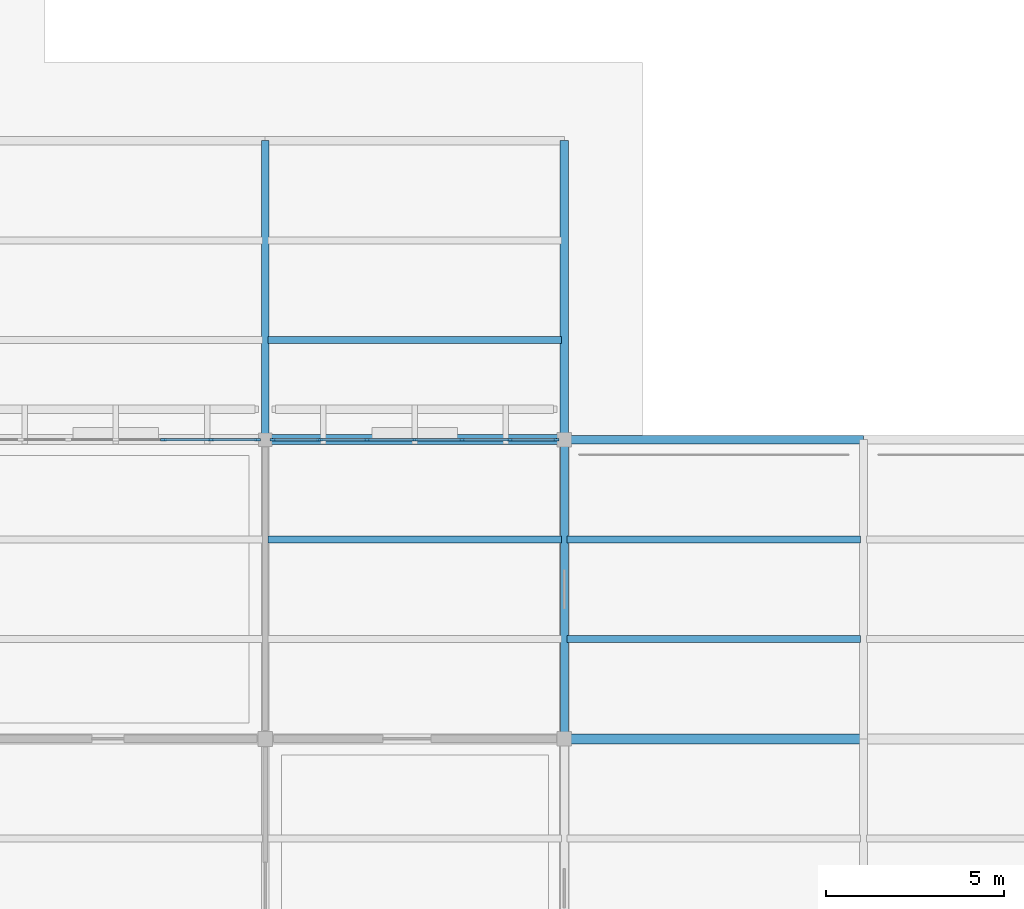
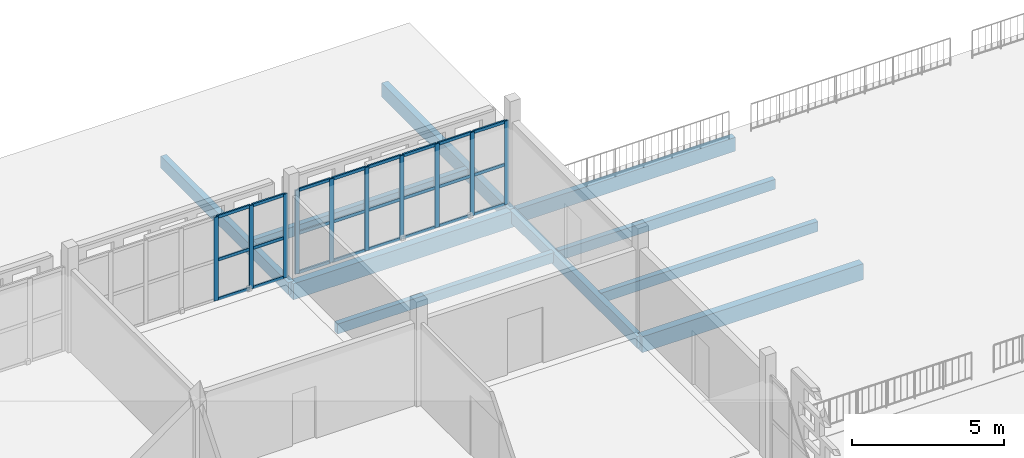
# One storey, part 28 of 166: 34 members, 10 beams, 2 elements without a shape of their own.
"""IFC4 building model written with IfcOpenShell, lengths in metres."""

from ifc_helpers import new_model, si_unit, direction, frame, origin, origin_2d, place, context, subcontext, project, spatial, rectangle, extrude, material, layer, layer_set, material_profile, profile_set, type_object, element, aggregate, save


model = new_model("IFC4")

# Units and contexts
model_context = context("Model", 3, precision=1e-05, world=origin(), true_north=direction((0.0, 1.0)))
body_context = subcontext(model_context, "Body", "Model", "MODEL_VIEW")
ifc_project = project(units=[si_unit("LENGTHUNIT", "METRE"), si_unit("AREAUNIT", "SQUARE_METRE"), si_unit("VOLUMEUNIT", "CUBIC_METRE"), si_unit("PLANEANGLEUNIT", "RADIAN"), si_unit("MASSUNIT", "GRAM", prefix="KILO")], contexts=[model_context])

# Site, building, storey
site_placement = place(None, origin())
site = spatial("IfcSite", under=ifc_project, at=site_placement, CompositionType="ELEMENT")
building_placement = place(site_placement, origin())
building = spatial("IfcBuilding", under=site, at=building_placement, Name="Varnapada Polytechnic", CompositionType="ELEMENT")
storey_placement = place(building_placement, frame((0.0, 0.0, 9.60009765625)))
storey = spatial("IfcBuildingStorey", under=building, at=storey_placement, Name="L02", CompositionType="ELEMENT", Elevation=9.60009765625)

# Beams
ifc_material_1 = material(Name="Glulam GL32h", Category="wood")
ifc_material_profile_1 = material_profile(ifc_material_1, rectangle(XDim=0.280029296875, YDim=0.639892578125, at=origin_2d()), Name="GL 280x640")
ifc_profile_set_1 = profile_set([ifc_material_profile_1], Name="Glulam GL32h")
beam_type_1 = type_object("IfcBeamType", Name="Laboratory primary glulam girder GG-02 (GL 280x640)", PredefinedType="BEAM", material=ifc_profile_set_1)
beam_1_placement = place(storey_placement, frame((50.39990234375, 42.0, -0.590087890625), z_axis=(1.0, 0.0, 0.0), x_axis=(0.0, 1.0, 0.0)))
element("IfcBeam", 1, at=beam_1_placement, inside=storey, type_object=beam_type_1, Name="L02 beam X 7-8 at Y6", PredefinedType="BEAM", context=body_context, shape_type="SweptSolid", body=[
    extrude(rectangle(XDim=0.280029296875, YDim=0.639892578125, at=origin_2d()), origin(), (0.0, 0.0, 1.0), 8.400146484375),
])
beam_2_placement = place(storey_placement, frame((58.800048828125, 33.60009765625, -0.56005859375), z_axis=(1.0, 0.0, 0.0), x_axis=(0.0, 1.0, 0.0)))
element("IfcBeam", 2, at=beam_2_placement, inside=storey, type_object=beam_type_1, Name="L02 beam X 8-9 at Y5", PredefinedType="BEAM", context=body_context, shape_type="SweptSolid", body=[
    extrude(rectangle(XDim=0.280029296875, YDim=0.639892578125, at=origin_2d()), origin(), (0.0, 0.0, 1.0), 8.39990234375),
])
ifc_material_profile_2 = material_profile(ifc_material_1, rectangle(XDim=0.199951171875, YDim=0.39990234375, at=origin_2d()), Name="GL 200x400")
ifc_profile_set_2 = profile_set([ifc_material_profile_2], Name="Glulam GL32h")
beam_type_2 = type_object("IfcBeamType", Name="Library/laboratory glulam floor joist GJ-01 (GL 200x400)", PredefinedType="JOIST", material=ifc_profile_set_2)
for number, where, z_axis, x_axis, name in (
    (3, (50.47998046875, 39.199951171875, -0.440185546875), (1.0, 0.0, 0.0), (0.0, 1.0, 0.0), "L02 floor joist 7/5.2"),
    (4, (50.47998046875, 44.800048828125, -0.47021484375), (1.0, 0.0, 0.0), (0.0, 1.0, 0.0), "L02 floor joist 7/6.1"),
):
    element("IfcBeam", number, at=place(storey_placement, frame(where, z_axis=z_axis, x_axis=x_axis)), inside=storey, type_object=beam_type_2, Name=name, PredefinedType="JOIST", context=body_context, shape_type="SweptSolid", body=[
        extrude(rectangle(XDim=0.199951171875, YDim=0.39990234375, at=origin_2d()), origin(), (0.0, 0.0, 1.0), 8.239990234375),
    ])
for number, where, z_axis, x_axis, name in (
    (5, (58.8798828125, 36.39990234375, -0.440185546875), (1.0, 0.0, 0.0), (0.0, 1.0, 0.0), "L02 floor joist 8/5.1"),
    (6, (58.8798828125, 39.199951171875, -0.440185546875), (1.0, 0.0, 0.0), (0.0, 1.0, 0.0), "L02 floor joist 8/5.2"),
):
    element("IfcBeam", number, at=place(storey_placement, frame(where, z_axis=z_axis, x_axis=x_axis)), inside=storey, type_object=beam_type_2, Name=name, PredefinedType="JOIST", context=body_context, shape_type="SweptSolid", body=[
        extrude(rectangle(XDim=0.199951171875, YDim=0.39990234375, at=origin_2d()), origin(), (0.0, 0.0, 1.0), 8.240234375),
    ])

# Curtain wall, members
ifc_material_2 = material(Name="Double low-E laminated glass", Category="glass")
ifc_layer = layer(ifc_material_2, 0.159912109375)
ifc_layer_set = layer_set([ifc_layer], Name="Double low-E laminated glass")
curtain_wall_type = type_object("IfcCurtainWallType", Name="Curtain Wall CW-01", PredefinedType="NOTDEFINED", material=ifc_layer_set)
curtain_wall_1_placement = place(storey_placement, origin())
curtain_wall_1 = element("IfcCurtainWall", 7, at=curtain_wall_1_placement, inside=storey, type_object=curtain_wall_type, Name="L02 unitised curtain wall CW-01 (154)", PredefinedType="NOTDEFINED")
ifc_material_3 = material(Name="Anodised aluminium", Category="aluminium")
ifc_material_profile_3 = material_profile(ifc_material_3, rectangle(XDim=0.06005859375, YDim=0.159912109375, at=origin_2d()), Name="ALU M60x160")
ifc_profile_set_3 = profile_set([ifc_material_profile_3], Name="Anodised aluminium")
member_type_1 = type_object("IfcMemberType", Name="Mullion M-01", PredefinedType="MULLION", material=ifc_profile_set_3)
member_1_placement = place(storey_placement, frame((47.5400390625, 42.0, 0.0), z_axis=(0.0, 0.0, 1.0), x_axis=(0.0, 1.0, 0.0)))
member_1 = element("IfcMember", 8, at=member_1_placement, type_object=member_type_1, Name="CW-01 mullion 5", PredefinedType="MULLION", context=body_context, shape_type="SweptSolid", body=[
    extrude(rectangle(XDim=0.06005859375, YDim=0.159912109375, at=origin_2d()), origin(), (0.0, 0.0, 1.0), 3.35986328125),
])
member_2_placement = place(storey_placement, frame((48.875, 42.0, 0.0), z_axis=(0.0, 0.0, 1.0), x_axis=(0.0, 1.0, 0.0)))
member_2 = element("IfcMember", 9, at=member_2_placement, type_object=member_type_1, Name="CW-01 mullion 6", PredefinedType="MULLION", context=body_context, shape_type="SweptSolid", body=[
    extrude(rectangle(XDim=0.06005859375, YDim=0.159912109375, at=origin_2d()), origin(), (0.0, 0.0, 1.0), 3.35986328125),
])
member_3_placement = place(storey_placement, frame((50.179931640625, 42.0, 0.0), z_axis=(0.0, 0.0, 1.0), x_axis=(0.0, 1.0, 0.0)))
member_3 = element("IfcMember", 10, at=member_3_placement, type_object=member_type_1, Name="CW-01 mullion 7", PredefinedType="MULLION", context=body_context, shape_type="SweptSolid", body=[
    extrude(rectangle(XDim=0.06005859375, YDim=0.159912109375, at=origin_2d()), origin(), (0.0, 0.0, 1.0), 3.35986328125),
])

curtain_wall_2_placement = place(storey_placement, origin())
curtain_wall_2 = element("IfcCurtainWall", 11, at=curtain_wall_2_placement, inside=storey, type_object=curtain_wall_type, Name="L02 unitised curtain wall CW-01 (157)", PredefinedType="NOTDEFINED")
member_4_placement = place(storey_placement, frame((50.6201171875, 42.0, 0.0), z_axis=(0.0, 0.0, 1.0), x_axis=(0.0, 1.0, 0.0)))
member_4 = element("IfcMember", 12, at=member_4_placement, type_object=member_type_1, Name="CW-01 mullion 1", PredefinedType="MULLION", context=body_context, shape_type="SweptSolid", body=[
    extrude(rectangle(XDim=0.06005859375, YDim=0.159912109375, at=origin_2d()), origin(), (0.0, 0.0, 1.0), 3.35986328125),
])
member_5_placement = place(storey_placement, frame((51.925048828125, 42.0, 0.0), z_axis=(0.0, 0.0, 1.0), x_axis=(0.0, 1.0, 0.0)))
member_5 = element("IfcMember", 13, at=member_5_placement, type_object=member_type_1, Name="CW-01 mullion 2", PredefinedType="MULLION", context=body_context, shape_type="SweptSolid", body=[
    extrude(rectangle(XDim=0.06005859375, YDim=0.159912109375, at=origin_2d()), origin(), (0.0, 0.0, 1.0), 3.35986328125),
])
member_6_placement = place(storey_placement, frame((53.260009765625, 42.0, 0.0), z_axis=(0.0, 0.0, 1.0), x_axis=(0.0, 1.0, 0.0)))
member_6 = element("IfcMember", 14, at=member_6_placement, type_object=member_type_1, Name="CW-01 mullion 3", PredefinedType="MULLION", context=body_context, shape_type="SweptSolid", body=[
    extrude(rectangle(XDim=0.06005859375, YDim=0.159912109375, at=origin_2d()), origin(), (0.0, 0.0, 1.0), 3.35986328125),
])
member_7_placement = place(storey_placement, frame((54.594970703125, 42.0, 0.0), z_axis=(0.0, 0.0, 1.0), x_axis=(0.0, 1.0, 0.0)))
member_7 = element("IfcMember", 15, at=member_7_placement, type_object=member_type_1, Name="CW-01 mullion 4", PredefinedType="MULLION", context=body_context, shape_type="SweptSolid", body=[
    extrude(rectangle(XDim=0.06005859375, YDim=0.159912109375, at=origin_2d()), origin(), (0.0, 0.0, 1.0), 3.35986328125),
])
member_8_placement = place(storey_placement, frame((55.929931640625, 42.0, 0.0), z_axis=(0.0, 0.0, 1.0), x_axis=(0.0, 1.0, 0.0)))
member_8 = element("IfcMember", 16, at=member_8_placement, type_object=member_type_1, Name="CW-01 mullion 5", PredefinedType="MULLION", context=body_context, shape_type="SweptSolid", body=[
    extrude(rectangle(XDim=0.06005859375, YDim=0.159912109375, at=origin_2d()), origin(), (0.0, 0.0, 1.0), 3.35986328125),
])
member_9_placement = place(storey_placement, frame((57.264892578125, 42.0, 0.0), z_axis=(0.0, 0.0, 1.0), x_axis=(0.0, 1.0, 0.0)))
member_9 = element("IfcMember", 17, at=member_9_placement, type_object=member_type_1, Name="CW-01 mullion 6", PredefinedType="MULLION", context=body_context, shape_type="SweptSolid", body=[
    extrude(rectangle(XDim=0.06005859375, YDim=0.159912109375, at=origin_2d()), origin(), (0.0, 0.0, 1.0), 3.35986328125),
])
member_10_placement = place(storey_placement, frame((58.570068359375, 42.0, 0.0), z_axis=(0.0, 0.0, 1.0), x_axis=(0.0, 1.0, 0.0)))
member_10 = element("IfcMember", 18, at=member_10_placement, type_object=member_type_1, Name="CW-01 mullion 7", PredefinedType="MULLION", context=body_context, shape_type="SweptSolid", body=[
    extrude(rectangle(XDim=0.06005859375, YDim=0.159912109375, at=origin_2d()), origin(), (0.0, 0.0, 1.0), 3.35986328125),
])

# Beams
ifc_material_profile_4 = material_profile(ifc_material_1, rectangle(XDim=0.239990234375, YDim=0.56005859375, at=origin_2d()), Name="GL 240x560")
ifc_profile_set_4 = profile_set([ifc_material_profile_4], Name="Glulam GL32h")
beam_type_3 = type_object("IfcBeamType", Name="Perimeter glulam spandrel beam SP-02 (GL 240x560)", PredefinedType="SPANDREL", material=ifc_profile_set_4)
for number, where, z_axis, x_axis, name in (
    (19, (58.800048828125, 42.0, -0.550048828125), (1.0, 0.0, 0.0), (0.0, 1.0, 0.0), "L02 beam X 8-9 at Y6"),
    (20, (58.800048828125, 42.0, -0.550048828125), (0.0, 1.0, 0.0), (-1.0, 0.0, 0.0), "L02 beam Y 6-7 at X8"),
):
    element("IfcBeam", number, at=place(storey_placement, frame(where, z_axis=z_axis, x_axis=x_axis)), inside=storey, type_object=beam_type_3, Name=name, PredefinedType="SPANDREL", context=body_context, shape_type="SweptSolid", body=[
        extrude(rectangle(XDim=0.239990234375, YDim=0.56005859375, at=origin_2d()), origin(), (0.0, 0.0, 1.0), 8.39990234375),
    ])

# Member
ifc_material_profile_5 = material_profile(ifc_material_3, rectangle(XDim=0.06005859375, YDim=0.1201171875, at=origin_2d()), Name="ALU T60x120")
ifc_profile_set_5 = profile_set([ifc_material_profile_5], Name="Anodised aluminium")
member_type_2 = type_object("IfcMemberType", Name="Transom T-01", PredefinedType="USERDEFINED", material=ifc_profile_set_5)
member_11_placement = place(storey_placement, frame((47.570068359375, 42.0, 0.02978515625), z_axis=(1.0, 0.0, 0.0), x_axis=(0.0, 1.0, 0.0)))
member_11 = element("IfcMember", 21, at=member_11_placement, type_object=member_type_2, Name="CW-01 transom 5.1", ObjectType="TRANSOM", PredefinedType="USERDEFINED", context=body_context, shape_type="SweptSolid", body=[
    extrude(rectangle(XDim=0.06005859375, YDim=0.1201171875, at=origin_2d()), origin(), (0.0, 0.0, 1.0), 1.27490234375),
])

member_12_placement = place(storey_placement, frame((47.570068359375, 42.0, 1.61279296875), z_axis=(1.0, 0.0, 0.0), x_axis=(0.0, 1.0, 0.0)))
member_12 = element("IfcMember", 22, at=member_12_placement, type_object=member_type_2, Name="CW-01 transom 5.2", ObjectType="TRANSOM", PredefinedType="USERDEFINED", context=body_context, shape_type="SweptSolid", body=[
    extrude(rectangle(XDim=0.06005859375, YDim=0.1201171875, at=origin_2d()), origin(), (0.0, 0.0, 1.0), 1.27490234375),
])

member_13_placement = place(storey_placement, frame((47.570068359375, 42.0, 3.329833984375), z_axis=(1.0, 0.0, 0.0), x_axis=(0.0, 1.0, 0.0)))
member_13 = element("IfcMember", 23, at=member_13_placement, type_object=member_type_2, Name="CW-01 transom 5.3", ObjectType="TRANSOM", PredefinedType="USERDEFINED", context=body_context, shape_type="SweptSolid", body=[
    extrude(rectangle(XDim=0.06005859375, YDim=0.1201171875, at=origin_2d()), origin(), (0.0, 0.0, 1.0), 1.27490234375),
])

member_14_placement = place(storey_placement, frame((48.905029296875, 42.0, 0.02978515625), z_axis=(1.0, 0.0, 0.0), x_axis=(0.0, 1.0, 0.0)))
member_14 = element("IfcMember", 24, at=member_14_placement, type_object=member_type_2, Name="CW-01 transom 6.1", ObjectType="TRANSOM", PredefinedType="USERDEFINED", context=body_context, shape_type="SweptSolid", body=[
    extrude(rectangle(XDim=0.06005859375, YDim=0.1201171875, at=origin_2d()), origin(), (0.0, 0.0, 1.0), 1.244873046875),
])

member_15_placement = place(storey_placement, frame((48.905029296875, 42.0, 1.61279296875), z_axis=(1.0, 0.0, 0.0), x_axis=(0.0, 1.0, 0.0)))
member_15 = element("IfcMember", 25, at=member_15_placement, type_object=member_type_2, Name="CW-01 transom 6.2", ObjectType="TRANSOM", PredefinedType="USERDEFINED", context=body_context, shape_type="SweptSolid", body=[
    extrude(rectangle(XDim=0.06005859375, YDim=0.1201171875, at=origin_2d()), origin(), (0.0, 0.0, 1.0), 1.244873046875),
])

member_16_placement = place(storey_placement, frame((48.905029296875, 42.0, 3.329833984375), z_axis=(1.0, 0.0, 0.0), x_axis=(0.0, 1.0, 0.0)))
member_16 = element("IfcMember", 26, at=member_16_placement, type_object=member_type_2, Name="CW-01 transom 6.3", ObjectType="TRANSOM", PredefinedType="USERDEFINED", context=body_context, shape_type="SweptSolid", body=[
    extrude(rectangle(XDim=0.06005859375, YDim=0.1201171875, at=origin_2d()), origin(), (0.0, 0.0, 1.0), 1.244873046875),
])

aggregate(curtain_wall_1, [member_1, member_2, member_3, member_11, member_12, member_13, member_14, member_15, member_16])

member_17_placement = place(storey_placement, frame((50.64990234375, 42.0, 0.02978515625), z_axis=(1.0, 0.0, 0.0), x_axis=(0.0, 1.0, 0.0)))
member_17 = element("IfcMember", 27, at=member_17_placement, type_object=member_type_2, Name="CW-01 transom 1.1", ObjectType="TRANSOM", PredefinedType="USERDEFINED", context=body_context, shape_type="SweptSolid", body=[
    extrude(rectangle(XDim=0.06005859375, YDim=0.1201171875, at=origin_2d()), origin(), (0.0, 0.0, 1.0), 1.2451171875),
])

member_18_placement = place(storey_placement, frame((50.64990234375, 42.0, 1.61279296875), z_axis=(1.0, 0.0, 0.0), x_axis=(0.0, 1.0, 0.0)))
member_18 = element("IfcMember", 28, at=member_18_placement, type_object=member_type_2, Name="CW-01 transom 1.2", ObjectType="TRANSOM", PredefinedType="USERDEFINED", context=body_context, shape_type="SweptSolid", body=[
    extrude(rectangle(XDim=0.06005859375, YDim=0.1201171875, at=origin_2d()), origin(), (0.0, 0.0, 1.0), 1.2451171875),
])

member_19_placement = place(storey_placement, frame((50.64990234375, 42.0, 3.329833984375), z_axis=(1.0, 0.0, 0.0), x_axis=(0.0, 1.0, 0.0)))
member_19 = element("IfcMember", 29, at=member_19_placement, type_object=member_type_2, Name="CW-01 transom 1.3", ObjectType="TRANSOM", PredefinedType="USERDEFINED", context=body_context, shape_type="SweptSolid", body=[
    extrude(rectangle(XDim=0.06005859375, YDim=0.1201171875, at=origin_2d()), origin(), (0.0, 0.0, 1.0), 1.2451171875),
])

member_20_placement = place(storey_placement, frame((51.955078125, 42.0, 0.02978515625), z_axis=(1.0, 0.0, 0.0), x_axis=(0.0, 1.0, 0.0)))
member_20 = element("IfcMember", 30, at=member_20_placement, type_object=member_type_2, Name="CW-01 transom 2.1", ObjectType="TRANSOM", PredefinedType="USERDEFINED", context=body_context, shape_type="SweptSolid", body=[
    extrude(rectangle(XDim=0.06005859375, YDim=0.1201171875, at=origin_2d()), origin(), (0.0, 0.0, 1.0), 1.27490234375),
])

member_21_placement = place(storey_placement, frame((51.955078125, 42.0, 1.61279296875), z_axis=(1.0, 0.0, 0.0), x_axis=(0.0, 1.0, 0.0)))
member_21 = element("IfcMember", 31, at=member_21_placement, type_object=member_type_2, Name="CW-01 transom 2.2", ObjectType="TRANSOM", PredefinedType="USERDEFINED", context=body_context, shape_type="SweptSolid", body=[
    extrude(rectangle(XDim=0.06005859375, YDim=0.1201171875, at=origin_2d()), origin(), (0.0, 0.0, 1.0), 1.27490234375),
])

member_22_placement = place(storey_placement, frame((51.955078125, 42.0, 3.329833984375), z_axis=(1.0, 0.0, 0.0), x_axis=(0.0, 1.0, 0.0)))
member_22 = element("IfcMember", 32, at=member_22_placement, type_object=member_type_2, Name="CW-01 transom 2.3", ObjectType="TRANSOM", PredefinedType="USERDEFINED", context=body_context, shape_type="SweptSolid", body=[
    extrude(rectangle(XDim=0.06005859375, YDim=0.1201171875, at=origin_2d()), origin(), (0.0, 0.0, 1.0), 1.27490234375),
])

member_23_placement = place(storey_placement, frame((53.2900390625, 42.0, 0.02978515625), z_axis=(1.0, 0.0, 0.0), x_axis=(0.0, 1.0, 0.0)))
member_23 = element("IfcMember", 33, at=member_23_placement, type_object=member_type_2, Name="CW-01 transom 3.1", ObjectType="TRANSOM", PredefinedType="USERDEFINED", context=body_context, shape_type="SweptSolid", body=[
    extrude(rectangle(XDim=0.06005859375, YDim=0.1201171875, at=origin_2d()), origin(), (0.0, 0.0, 1.0), 1.27490234375),
])

member_24_placement = place(storey_placement, frame((53.2900390625, 42.0, 1.61279296875), z_axis=(1.0, 0.0, 0.0), x_axis=(0.0, 1.0, 0.0)))
member_24 = element("IfcMember", 34, at=member_24_placement, type_object=member_type_2, Name="CW-01 transom 3.2", ObjectType="TRANSOM", PredefinedType="USERDEFINED", context=body_context, shape_type="SweptSolid", body=[
    extrude(rectangle(XDim=0.06005859375, YDim=0.1201171875, at=origin_2d()), origin(), (0.0, 0.0, 1.0), 1.27490234375),
])

member_25_placement = place(storey_placement, frame((53.2900390625, 42.0, 3.329833984375), z_axis=(1.0, 0.0, 0.0), x_axis=(0.0, 1.0, 0.0)))
member_25 = element("IfcMember", 35, at=member_25_placement, type_object=member_type_2, Name="CW-01 transom 3.3", ObjectType="TRANSOM", PredefinedType="USERDEFINED", context=body_context, shape_type="SweptSolid", body=[
    extrude(rectangle(XDim=0.06005859375, YDim=0.1201171875, at=origin_2d()), origin(), (0.0, 0.0, 1.0), 1.27490234375),
])

member_26_placement = place(storey_placement, frame((54.625, 42.0, 0.02978515625), z_axis=(1.0, 0.0, 0.0), x_axis=(0.0, 1.0, 0.0)))
member_26 = element("IfcMember", 36, at=member_26_placement, type_object=member_type_2, Name="CW-01 transom 4.1", ObjectType="TRANSOM", PredefinedType="USERDEFINED", context=body_context, shape_type="SweptSolid", body=[
    extrude(rectangle(XDim=0.06005859375, YDim=0.1201171875, at=origin_2d()), origin(), (0.0, 0.0, 1.0), 1.27490234375),
])

member_27_placement = place(storey_placement, frame((54.625, 42.0, 1.61279296875), z_axis=(1.0, 0.0, 0.0), x_axis=(0.0, 1.0, 0.0)))
member_27 = element("IfcMember", 37, at=member_27_placement, type_object=member_type_2, Name="CW-01 transom 4.2", ObjectType="TRANSOM", PredefinedType="USERDEFINED", context=body_context, shape_type="SweptSolid", body=[
    extrude(rectangle(XDim=0.06005859375, YDim=0.1201171875, at=origin_2d()), origin(), (0.0, 0.0, 1.0), 1.27490234375),
])

member_28_placement = place(storey_placement, frame((54.625, 42.0, 3.329833984375), z_axis=(1.0, 0.0, 0.0), x_axis=(0.0, 1.0, 0.0)))
member_28 = element("IfcMember", 38, at=member_28_placement, type_object=member_type_2, Name="CW-01 transom 4.3", ObjectType="TRANSOM", PredefinedType="USERDEFINED", context=body_context, shape_type="SweptSolid", body=[
    extrude(rectangle(XDim=0.06005859375, YDim=0.1201171875, at=origin_2d()), origin(), (0.0, 0.0, 1.0), 1.27490234375),
])

member_29_placement = place(storey_placement, frame((55.9599609375, 42.0, 0.02978515625), z_axis=(1.0, 0.0, 0.0), x_axis=(0.0, 1.0, 0.0)))
member_29 = element("IfcMember", 39, at=member_29_placement, type_object=member_type_2, Name="CW-01 transom 5.1", ObjectType="TRANSOM", PredefinedType="USERDEFINED", context=body_context, shape_type="SweptSolid", body=[
    extrude(rectangle(XDim=0.06005859375, YDim=0.1201171875, at=origin_2d()), origin(), (0.0, 0.0, 1.0), 1.275146484375),
])

member_30_placement = place(storey_placement, frame((55.9599609375, 42.0, 1.61279296875), z_axis=(1.0, 0.0, 0.0), x_axis=(0.0, 1.0, 0.0)))
member_30 = element("IfcMember", 40, at=member_30_placement, type_object=member_type_2, Name="CW-01 transom 5.2", ObjectType="TRANSOM", PredefinedType="USERDEFINED", context=body_context, shape_type="SweptSolid", body=[
    extrude(rectangle(XDim=0.06005859375, YDim=0.1201171875, at=origin_2d()), origin(), (0.0, 0.0, 1.0), 1.275146484375),
])

member_31_placement = place(storey_placement, frame((55.9599609375, 42.0, 3.329833984375), z_axis=(1.0, 0.0, 0.0), x_axis=(0.0, 1.0, 0.0)))
member_31 = element("IfcMember", 41, at=member_31_placement, type_object=member_type_2, Name="CW-01 transom 5.3", ObjectType="TRANSOM", PredefinedType="USERDEFINED", context=body_context, shape_type="SweptSolid", body=[
    extrude(rectangle(XDim=0.06005859375, YDim=0.1201171875, at=origin_2d()), origin(), (0.0, 0.0, 1.0), 1.275146484375),
])

member_32_placement = place(storey_placement, frame((57.294921875, 42.0, 0.02978515625), z_axis=(1.0, 0.0, 0.0), x_axis=(0.0, 1.0, 0.0)))
member_32 = element("IfcMember", 42, at=member_32_placement, type_object=member_type_2, Name="CW-01 transom 6.1", ObjectType="TRANSOM", PredefinedType="USERDEFINED", context=body_context, shape_type="SweptSolid", body=[
    extrude(rectangle(XDim=0.06005859375, YDim=0.1201171875, at=origin_2d()), origin(), (0.0, 0.0, 1.0), 1.2451171875),
])

member_33_placement = place(storey_placement, frame((57.294921875, 42.0, 1.61279296875), z_axis=(1.0, 0.0, 0.0), x_axis=(0.0, 1.0, 0.0)))
member_33 = element("IfcMember", 43, at=member_33_placement, type_object=member_type_2, Name="CW-01 transom 6.2", ObjectType="TRANSOM", PredefinedType="USERDEFINED", context=body_context, shape_type="SweptSolid", body=[
    extrude(rectangle(XDim=0.06005859375, YDim=0.1201171875, at=origin_2d()), origin(), (0.0, 0.0, 1.0), 1.2451171875),
])

member_34_placement = place(storey_placement, frame((57.294921875, 42.0, 3.329833984375), z_axis=(1.0, 0.0, 0.0), x_axis=(0.0, 1.0, 0.0)))
member_34 = element("IfcMember", 44, at=member_34_placement, type_object=member_type_2, Name="CW-01 transom 6.3", ObjectType="TRANSOM", PredefinedType="USERDEFINED", context=body_context, shape_type="SweptSolid", body=[
    extrude(rectangle(XDim=0.06005859375, YDim=0.1201171875, at=origin_2d()), origin(), (0.0, 0.0, 1.0), 1.2451171875),
])

aggregate(curtain_wall_2, [member_4, member_5, member_6, member_7, member_8, member_9, member_10, member_17, member_18, member_19, member_20, member_21, member_22, member_23, member_24, member_25, member_26, member_27, member_28, member_29, member_30, member_31, member_32, member_33, member_34])

# Beams
ifc_material_profile_6 = material_profile(ifc_material_1, rectangle(XDim=0.219970703125, YDim=0.47998046875, at=origin_2d()), Name="GL 220x480")
ifc_profile_set_6 = profile_set([ifc_material_profile_6], Name="Glulam GL32h")
beam_type_4 = type_object("IfcBeamType", Name="Upper floor glulam tie beam GB-11 (GL 220x480)", PredefinedType="BEAM", material=ifc_profile_set_6)
for number, where, z_axis, x_axis, name in (
    (45, (50.39990234375, 42.0, -0.510009765625), (0.0, 1.0, 0.0), (-1.0, 0.0, 0.0), "L02 beam Y 6-7 at X7"),
    (46, (58.800048828125, 33.60009765625, -0.510009765625), (0.0, 1.0, 0.0), (-1.0, 0.0, 0.0), "L02 beam Y 5-6 at X8"),
):
    element("IfcBeam", number, at=place(storey_placement, frame(where, z_axis=z_axis, x_axis=x_axis)), inside=storey, type_object=beam_type_4, Name=name, PredefinedType="BEAM", context=body_context, shape_type="SweptSolid", body=[
        extrude(rectangle(XDim=0.219970703125, YDim=0.47998046875, at=origin_2d()), origin(), (0.0, 0.0, 1.0), 8.39990234375),
    ])

save(model, "model.ifc")
